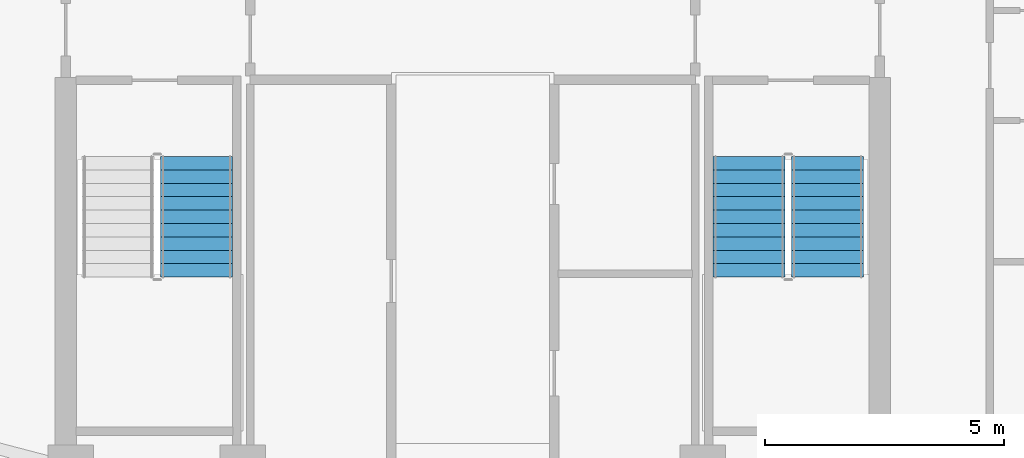
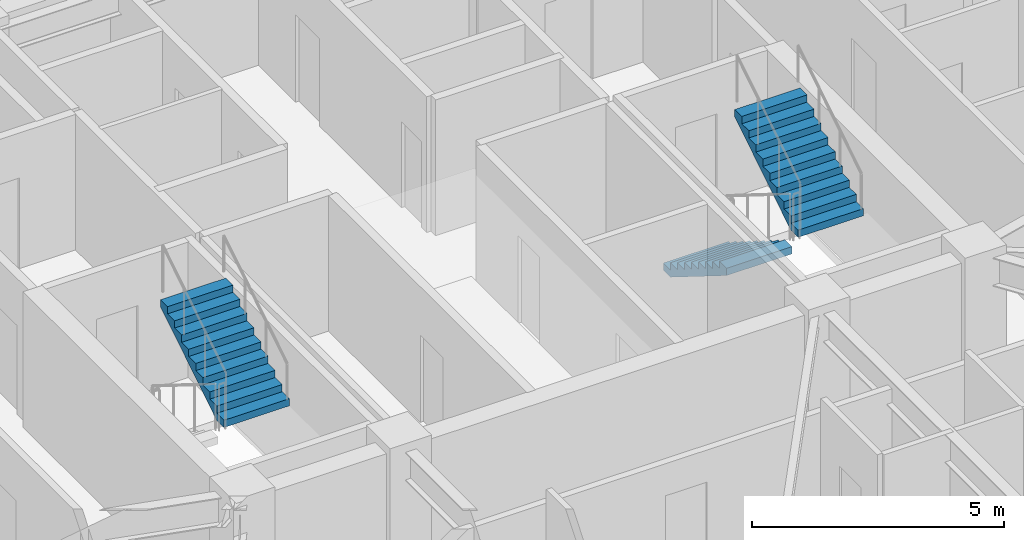
# One storey, part 12 of 17: 3 stair flights, 2 elements without a shape of their own.
"""IFC4 building model written with IfcOpenShell, lengths in metres."""

from ifc_helpers import new_model, si_unit, direction, frame, origin, place, context, subcontext, project, spatial, polyline, outline, extrude, material, type_object, element, aggregate, save


model = new_model("IFC4")

# Units and contexts
model_context = context("Model", 3, precision=1e-05, world=origin(), true_north=direction((0.0, 1.0)))
body_context = subcontext(model_context, "Body", "Model", "MODEL_VIEW")
ifc_project = project(units=[si_unit("LENGTHUNIT", "METRE"), si_unit("AREAUNIT", "SQUARE_METRE"), si_unit("VOLUMEUNIT", "CUBIC_METRE"), si_unit("PLANEANGLEUNIT", "RADIAN"), si_unit("MASSUNIT", "GRAM", prefix="KILO")], contexts=[model_context])

# Site, building, storey
site_placement = place(None, origin())
site = spatial("IfcSite", under=ifc_project, at=site_placement, CompositionType="ELEMENT")
building_placement = place(site_placement, origin())
building = spatial("IfcBuilding", under=site, at=building_placement, Name="Cairnveth Concourse Tower", CompositionType="ELEMENT")
storey_placement = place(building_placement, frame((0.0, 0.0, 220.0)))
storey = spatial("IfcBuildingStorey", under=building, at=storey_placement, Name="L60", CompositionType="ELEMENT", Elevation=220.0)

# Stair, stair flight
ifc_material = material(Name="Precast concrete N50 (50 MPa)", Category="concrete")
stair_type = type_object("IfcStairType", Name="CORE DOG-LEG FIRE STAIR 1500", PredefinedType="HALF_TURN_STAIR", material=ifc_material)
stair_1_placement = place(storey_placement, origin())
stair_1 = element("IfcStair", 1, at=stair_1_placement, inside=storey, type_object=stair_type, Name="L60 Fire-Isolated Stair ST-1", PredefinedType="HALF_TURN_STAIR")
stair_flight_type = type_object("IfcStairFlightType", Name="PRECAST CONCRETE STAIR FLIGHT 1500", PredefinedType="STRAIGHT", material=ifc_material)
stair_flight_1_placement = place(storey_placement, frame((46.22998046875, 34.580078125, 1.75), z_axis=(0.0, 0.0, 1.0), x_axis=(0.0, 1.0, 0.0)))
stair_flight_1 = element("IfcStairFlight", 2, at=stair_flight_1_placement, type_object=stair_flight_type, Name="ST-1 flight 2", NumberOfRisers=10, NumberOfTreads=9, PredefinedType="STRAIGHT", RiserHeight=0.175, TreadLength=0.28, context=body_context, shape_type="SweptSolid", body=[
    extrude(outline(polyline([(0.0, 0.0), (0.0, 0.175048828125), (0.280029296875, 0.175048828125), (0.280029296875, 0.35009765625), (0.56005859375, 0.35009765625), (0.56005859375, 0.52490234375), (0.840087890625, 0.52490234375), (0.840087890625, 0.699951171875), (1.1201171875, 0.699951171875), (1.1201171875, 0.875), (1.39990234375, 0.875), (1.39990234375, 1.050048828125), (1.679931640625, 1.050048828125), (1.679931640625, 1.22509765625), (1.9599609375, 1.22509765625), (1.9599609375, 1.39990234375), (2.239990234375, 1.39990234375), (2.239990234375, 1.574951171875), (2.52001953125, 1.574951171875), (2.52001953125, 1.75), (2.52001953125, 1.398193359375), (0.28271484375, 0.0), (0.0, 0.0)])), frame((0.0, 0.75, 0.0), z_axis=(0.0, -1.0, 0.0), x_axis=(1.0, 0.0, 0.0)), (0.0, 0.0, 1.0), 1.5),
])
aggregate(stair_1, [stair_flight_1])

# Stair, stair flights
stair_2_placement = place(storey_placement, origin())
stair_2 = element("IfcStair", 3, at=stair_2_placement, inside=storey, type_object=stair_type, Name="L60 Fire-Isolated Stair ST-2", PredefinedType="HALF_TURN_STAIR")
stair_flight_2_placement = place(storey_placement, frame((57.77001953125, 37.10009765625, 0.0), z_axis=(0.0, 0.0, 1.0), x_axis=(0.0, -1.0, 0.0)))
stair_flight_2 = element("IfcStairFlight", 4, at=stair_flight_2_placement, type_object=stair_flight_type, Name="ST-2 flight 1", NumberOfRisers=10, NumberOfTreads=9, PredefinedType="STRAIGHT", RiserHeight=0.175, TreadLength=0.28, context=body_context, shape_type="SweptSolid", body=[
    extrude(outline(polyline([(0.0, 0.0), (0.0, 0.175048828125), (0.280029296875, 0.175048828125), (0.280029296875, 0.35009765625), (0.56005859375, 0.35009765625), (0.56005859375, 0.52490234375), (0.840087890625, 0.52490234375), (0.840087890625, 0.699951171875), (1.1201171875, 0.699951171875), (1.1201171875, 0.875), (1.39990234375, 0.875), (1.39990234375, 1.050048828125), (1.679931640625, 1.050048828125), (1.679931640625, 1.22509765625), (1.9599609375, 1.22509765625), (1.9599609375, 1.39990234375), (2.239990234375, 1.39990234375), (2.239990234375, 1.574951171875), (2.52001953125, 1.574951171875), (2.52001953125, 1.75), (2.52001953125, 1.398193359375), (0.28271484375, 0.0), (0.0, 0.0)])), frame((0.0, 0.75, 0.0), z_axis=(0.0, -1.0, 0.0), x_axis=(1.0, 0.0, 0.0)), (0.0, 0.0, 1.0), 1.5),
])
stair_flight_3_placement = place(storey_placement, frame((59.409912109375, 34.580078125, 1.75), z_axis=(0.0, 0.0, 1.0), x_axis=(0.0, 1.0, 0.0)))
stair_flight_3 = element("IfcStairFlight", 5, at=stair_flight_3_placement, type_object=stair_flight_type, Name="ST-2 flight 2", NumberOfRisers=10, NumberOfTreads=9, PredefinedType="STRAIGHT", RiserHeight=0.175, TreadLength=0.28, context=body_context, shape_type="SweptSolid", body=[
    extrude(outline(polyline([(0.0, 0.0), (0.0, 0.175048828125), (0.280029296875, 0.175048828125), (0.280029296875, 0.35009765625), (0.56005859375, 0.35009765625), (0.56005859375, 0.52490234375), (0.840087890625, 0.52490234375), (0.840087890625, 0.699951171875), (1.1201171875, 0.699951171875), (1.1201171875, 0.875), (1.39990234375, 0.875), (1.39990234375, 1.050048828125), (1.679931640625, 1.050048828125), (1.679931640625, 1.22509765625), (1.9599609375, 1.22509765625), (1.9599609375, 1.39990234375), (2.239990234375, 1.39990234375), (2.239990234375, 1.574951171875), (2.52001953125, 1.574951171875), (2.52001953125, 1.75), (2.52001953125, 1.398193359375), (0.28271484375, 0.0), (0.0, 0.0)])), frame((0.0, 0.75, 0.0), z_axis=(0.0, -1.0, 0.0), x_axis=(1.0, 0.0, 0.0)), (0.0, 0.0, 1.0), 1.5),
])
aggregate(stair_2, [stair_flight_2, stair_flight_3])

save(model, "model.ifc")
